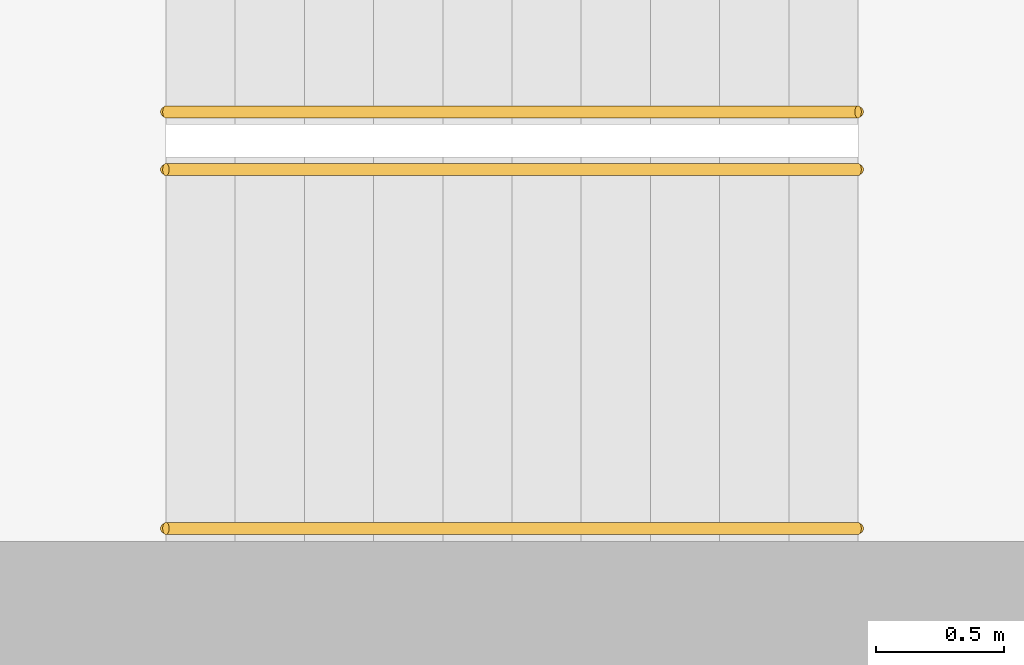
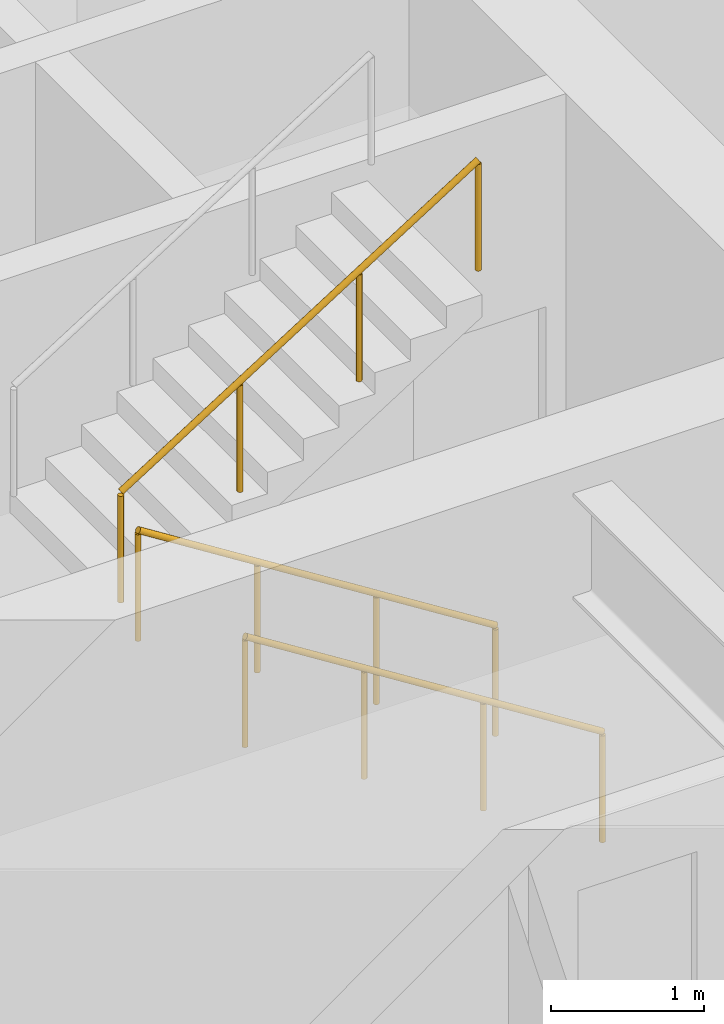
# One storey, part 14 of 18: 3 railings.
"""IFC4 building model written with IfcOpenShell, lengths in metres."""

from ifc_helpers import new_model, si_unit, direction, frame, origin, origin_2d, place, context, subcontext, project, spatial, circle, extrude, material, type_object, element, save


model = new_model("IFC4")

# Units and contexts
model_context = context("Model", 3, precision=1e-05, world=origin(), true_north=direction((0.0, 1.0)))
body_context = subcontext(model_context, "Body", "Model", "MODEL_VIEW")
ifc_project = project(units=[si_unit("LENGTHUNIT", "METRE"), si_unit("AREAUNIT", "SQUARE_METRE"), si_unit("VOLUMEUNIT", "CUBIC_METRE"), si_unit("PLANEANGLEUNIT", "RADIAN"), si_unit("MASSUNIT", "GRAM", prefix="KILO")], contexts=[model_context])

# Site, building, storey
site_placement = place(None, origin())
site = spatial("IfcSite", under=ifc_project, at=site_placement, CompositionType="ELEMENT")
building_placement = place(site_placement, origin())
building = spatial("IfcBuilding", under=site, at=building_placement, Name="Msasa Ring Tower", CompositionType="ELEMENT")
storey_placement = place(building_placement, frame((0.0, 0.0, 208.300048828125)))
storey = spatial("IfcBuildingStorey", under=building, at=storey_placement, Name="L54", CompositionType="ELEMENT", Elevation=208.300048828125)

# Railings
ifc_material = material(Name="Stainless steel", Category="steel")
railing_type = type_object("IfcRailingType", Name="HR1 HANDRAIL 900", PredefinedType="HANDRAIL", material=ifc_material)
for number, where, name in (
    (1, (-10.800048828125, -6.39990234375, 0.17041015625), "Handrail stair SWA L54 1"),
    (2, (-10.800048828125, -5.0, 0.17041015625), "Handrail stair SWA L54 2"),
):
    element("IfcRailing", number, at=place(storey_placement, frame(where)), inside=storey, type_object=railing_type, Name=name, PredefinedType="HANDRAIL", context=body_context, shape_type="SweptSolid", body=[
        extrude(circle(Radius=0.02392578125, at=origin_2d()), frame((0.0, 0.0, 0.8759765625), z_axis=(-0.845579735284, 0.0, 0.533849146555), x_axis=(0.0, -1.0, 0.0)), (0.0, 0.0, 1.0), 3.193115234375),
        extrude(circle(Radius=0.02099609375, at=origin_2d()), origin(), (0.0, 0.0, 1.0), 0.851806640625),
        extrude(circle(Radius=0.02099609375, at=origin_2d()), frame((-0.89990234375, 0.0, 0.568115234375)), (0.0, 0.0, 1.0), 0.851806640625),
        extrude(circle(Radius=0.02099609375, at=origin_2d()), frame((-1.800048828125, 0.0, 1.136474609375)), (0.0, 0.0, 1.0), 0.851806640625),
        extrude(circle(Radius=0.02099609375, at=origin_2d()), frame((-2.699951171875, 0.0, 1.70458984375)), (0.0, 0.0, 1.0), 0.851806640625),
    ])
railing_placement = place(storey_placement, frame((-13.5, -4.77490234375, 2.04541015625)))
element("IfcRailing", 3, at=railing_placement, inside=storey, type_object=railing_type, Name="Handrail stair SWA L54 3", PredefinedType="HANDRAIL", context=body_context, shape_type="SweptSolid", body=[
    extrude(circle(Radius=0.02392578125, at=origin_2d()), frame((0.0, 0.0, 0.8759765625), z_axis=(0.845579735284, 0.0, 0.533849146555), x_axis=(0.0, 1.0, 0.0)), (0.0, 0.0, 1.0), 3.193115234375),
    extrude(circle(Radius=0.02099609375, at=origin_2d()), origin(), (0.0, 0.0, 1.0), 0.851806640625),
    extrude(circle(Radius=0.02099609375, at=origin_2d()), frame((0.89990234375, 0.0, 0.568115234375)), (0.0, 0.0, 1.0), 0.851806640625),
    extrude(circle(Radius=0.02099609375, at=origin_2d()), frame((1.800048828125, 0.0, 1.136474609375)), (0.0, 0.0, 1.0), 0.851806640625),
    extrude(circle(Radius=0.02099609375, at=origin_2d()), frame((2.699951171875, 0.0, 1.70458984375)), (0.0, 0.0, 1.0), 0.851806640625),
])

save(model, "model.ifc")
